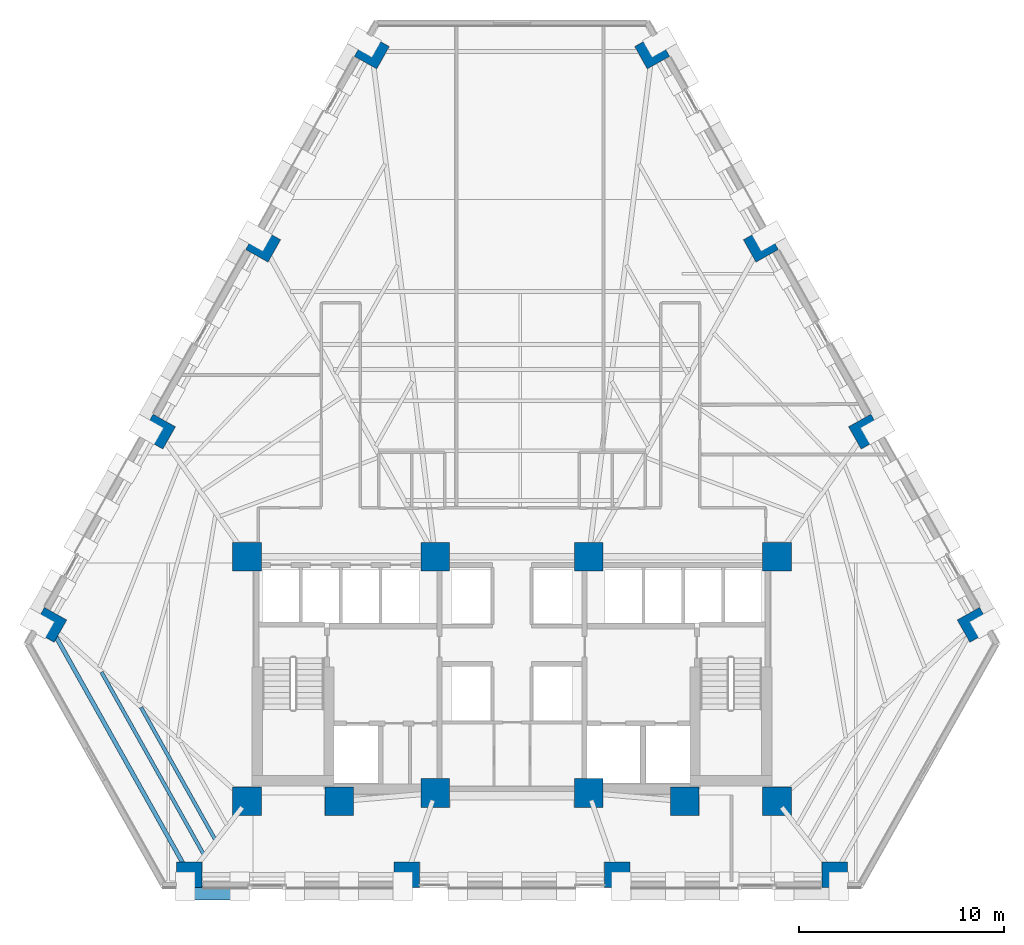
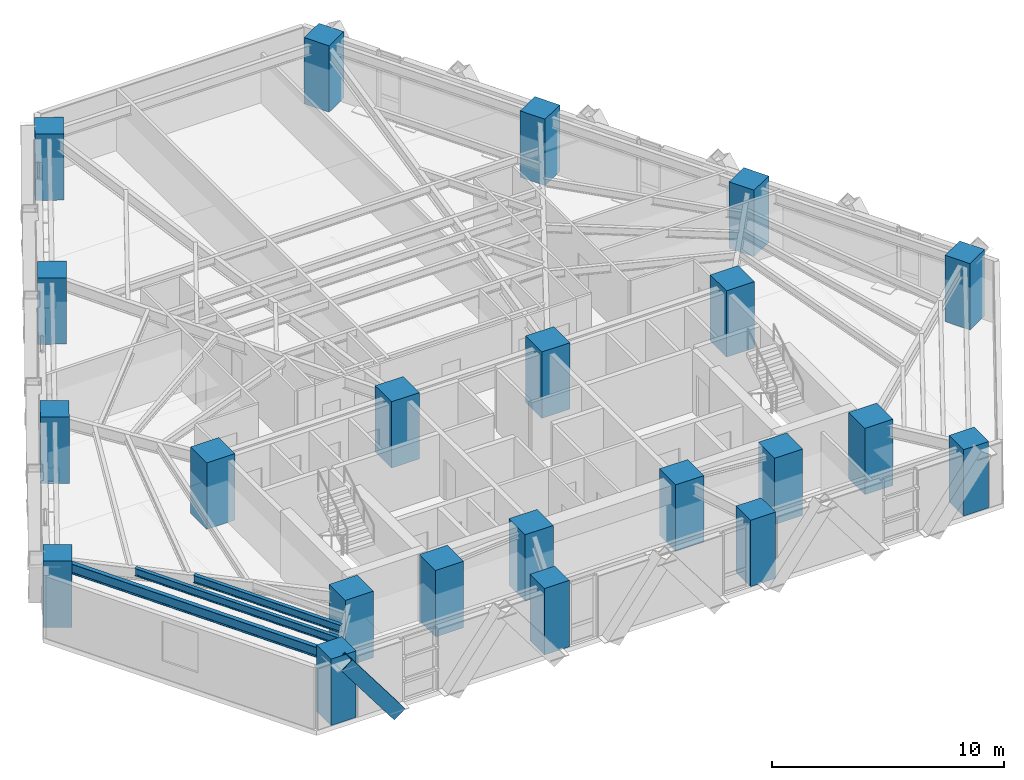
# One storey, part 1 of 13: 22 columns, 3 beams, 1 member.
"""IFC4 building model written with IfcOpenShell, lengths in metres."""

from ifc_helpers import new_model, si_unit, direction, frame, origin, origin_2d, place, context, subcontext, project, spatial, rectangle, hollow_rectangle, i_section, extrude, material, material_profile, profile_set, type_object, element, save


model = new_model("IFC4")

# Units and contexts
model_context = context("Model", 3, precision=1e-05, world=origin(), true_north=direction((0.0, 1.0)))
body_context = subcontext(model_context, "Body", "Model", "MODEL_VIEW")
ifc_project = project(units=[si_unit("LENGTHUNIT", "METRE"), si_unit("AREAUNIT", "SQUARE_METRE"), si_unit("VOLUMEUNIT", "CUBIC_METRE"), si_unit("PLANEANGLEUNIT", "RADIAN"), si_unit("MASSUNIT", "GRAM", prefix="KILO")], contexts=[model_context])

# Site, building, storey
site_placement = place(None, origin())
site = spatial("IfcSite", under=ifc_project, at=site_placement, CompositionType="ELEMENT")
building_placement = place(site_placement, origin())
building = spatial("IfcBuilding", under=site, at=building_placement, Name="Quenlor Broadcast Tower", CompositionType="ELEMENT")
storey_placement = place(building_placement, frame((0.0, 0.0, 66.10009765625)))
storey = spatial("IfcBuildingStorey", under=building, at=storey_placement, Name="L17", CompositionType="ELEMENT", Elevation=66.10009765625)

# Columns
ifc_material_1 = material(Name="Concrete C65/80", Category="concrete")
ifc_material_profile_1 = material_profile(ifc_material_1, rectangle(XDim=1.39990234375, YDim=1.39990234375, at=origin_2d()))
ifc_profile_set_1 = profile_set([ifc_material_profile_1], Name="Concrete C65/80 RC1400x1400")
column_type_1 = type_object("IfcColumnType", Name="Core Corner Column Lower Concrete C65/80 1400", PredefinedType="COLUMN", material=ifc_profile_set_1)
for number, where, z_axis, x_axis, name in (
    (1, (-12.949951171875, -16.75, 0.0), (0.0, 0.0, 1.0), (1.0, 0.0, 0.0), "L17 Core Column CC1"),
    (2, (-8.449951171875, -16.75, 0.0), (0.0, 0.0, 1.0), (1.0, 0.0, 0.0), "L17 Core Column CC2"),
    (3, (-3.75, -16.35009765625, 0.0), (0.0, 0.0, 1.0), (1.0, 0.0, 0.0), "L17 Core Column CC3"),
    (4, (3.75, -16.35009765625, 0.0), (0.0, 0.0, 1.0), (1.0, 0.0, 0.0), "L17 Core Column CC4"),
    (5, (8.449951171875, -16.75, 0.0), (0.0, 0.0, 1.0), (1.0, 0.0, 0.0), "L17 Core Column CC5"),
    (6, (12.949951171875, -16.75, 0.0), (0.0, 0.0, 1.0), (1.0, 0.0, 0.0), "L17 Core Column CC6"),
    (7, (-12.949951171875, -4.800048828125, 0.0), (0.0, 0.0, 1.0), (1.0, 0.0, 0.0), "L17 Core Column CC7"),
    (8, (-3.75, -4.800048828125, 0.0), (0.0, 0.0, 1.0), (1.0, 0.0, 0.0), "L17 Core Column CC8"),
    (9, (3.75, -4.800048828125, 0.0), (0.0, 0.0, 1.0), (1.0, 0.0, 0.0), "L17 Core Column CC9"),
    (10, (12.949951171875, -4.800048828125, 0.0), (0.0, 0.0, 1.0), (1.0, 0.0, 0.0), "L17 Core Column CC10"),
):
    element("IfcColumn", number, at=place(storey_placement, frame(where, z_axis=z_axis, x_axis=x_axis)), inside=storey, type_object=column_type_1, Name=name, PredefinedType="COLUMN", context=body_context, shape_type="SweptSolid", body=[
        extrude(rectangle(XDim=1.39990234375, YDim=1.39990234375, at=origin_2d()), origin(), (0.0, 0.0, 1.0), 3.5),
    ])
ifc_material_2 = material(Name="Concrete C65/80", Category="concrete")
ifc_material_profile_2 = material_profile(ifc_material_2, rectangle(XDim=1.25, YDim=1.25, at=origin_2d()))
ifc_profile_set_2 = profile_set([ifc_material_profile_2], Name="Concrete C65/80 RC1250x1250")
column_type_2 = type_object("IfcColumnType", Name="Tower Perimeter Column Z1 Concrete C65/80 1250", PredefinedType="COLUMN", material=ifc_profile_set_2)
for number, where, z_axis, x_axis, name in (
    (11, (-15.76513671875, -20.35009765625, 0.0), (0.0, 0.0, 1.0), (0.0, 1.0, 0.0), "L17 Perimeter Column S1"),
    (12, (-5.140869140625, -20.35009765625, 0.0), (0.0, 0.0, 1.0), (0.0, 1.0, 0.0), "L17 Perimeter Column S2"),
    (13, (5.140869140625, -20.35009765625, 0.0), (0.0, 0.0, 1.0), (0.0, 1.0, 0.0), "L17 Perimeter Column S3"),
    (14, (15.76513671875, -20.35009765625, 0.0), (0.0, 0.0, 1.0), (0.0, 1.0, 0.0), "L17 Perimeter Column S4"),
    (15, (22.6162109375, -8.132080078125, 0.0), (0.0, 0.0, 1.0), (0.871575139605, 0.490261946333, 0.0), "L17 Perimeter Column NE1"),
    (16, (17.303955078125, 1.311767578125, 0.0), (0.0, 0.0, 1.0), (0.871575139605, 0.490261946333, 0.0), "L17 Perimeter Column NE2"),
    (17, (12.1630859375, 10.450927734375, 0.0), (0.0, 0.0, 1.0), (0.871575139605, 0.490261946333, 0.0), "L17 Perimeter Column NE3"),
    (18, (6.850830078125, 19.894775390625, 0.0), (0.0, 0.0, 1.0), (0.871575139605, 0.490261946333, 0.0), "L17 Perimeter Column NE4"),
    (19, (-6.850830078125, 19.894775390625, 0.0), (0.0, 0.0, 1.0), (-0.871575139605, 0.490261946333, 0.0), "L17 Perimeter Column NW1"),
    (20, (-12.1630859375, 10.450927734375, 0.0), (0.0, 0.0, 1.0), (-0.871575139605, 0.490261946333, 0.0), "L17 Perimeter Column NW2"),
    (21, (-17.303955078125, 1.311767578125, 0.0), (0.0, 0.0, 1.0), (-0.871575139605, 0.490261946333, 0.0), "L17 Perimeter Column NW3"),
    (22, (-22.6162109375, -8.132080078125, 0.0), (0.0, 0.0, 1.0), (-0.871575139605, 0.490261946333, 0.0), "L17 Perimeter Column NW4"),
):
    element("IfcColumn", number, at=place(storey_placement, frame(where, z_axis=z_axis, x_axis=x_axis)), inside=storey, type_object=column_type_2, Name=name, PredefinedType="COLUMN", context=body_context, shape_type="SweptSolid", body=[
        extrude(rectangle(XDim=1.25, YDim=1.25, at=origin_2d()), origin(), (0.0, 0.0, 1.0), 3.5),
    ])

# Member
ifc_material_3 = material(Name="Steel S355", Category="steel")
ifc_material_profile_3 = material_profile(ifc_material_3, hollow_rectangle(XDim=0.679931640625, YDim=0.679931640625, WallThickness=0.034912109375, at=origin_2d()))
ifc_profile_set_3 = profile_set([ifc_material_profile_3], Name="Steel S355 RHS680x680x35")
member_type = type_object("IfcMemberType", Name="Perimeter Diagonal Lattice Brace Z1 Steel S355 RHS680x35", PredefinedType="BRACE", material=ifc_profile_set_3)
member_placement = place(storey_placement, frame((-13.31689453125, -21.235107421875, -0.1201171875), z_axis=(-0.600463982679, 0.0, 0.799651802665), x_axis=(0.0, -1.0, 0.0)))
element("IfcMember", 23, at=member_placement, inside=storey, type_object=member_type, Name="L17 Perimeter Diamond Lattice S-C4S", PredefinedType="BRACE", context=body_context, shape_type="SweptSolid", body=[
    extrude(hollow_rectangle(XDim=0.679931640625, YDim=0.679931640625, WallThickness=0.034912109375, at=origin_2d()), origin(), (0.0, 0.0, 1.0), 4.376953125),
])

# Beams
ifc_material_4 = material(Name="Steel S355", Category="steel")
ifc_material_profile_4 = material_profile(ifc_material_4, i_section(OverallWidth=0.208984375, OverallDepth=0.532958984375, WebThickness=0.01025390625, FlangeThickness=0.015625, FilletRadius=0.013916015625, at=origin_2d()))
ifc_profile_set_4 = profile_set([ifc_material_profile_4], Name="Steel S355 530UB92.4")
beam_type_1 = type_object("IfcBeamType", Name="Perimeter Spandrel Beam Z1 Steel S355 530UB92.4", PredefinedType="SPANDREL", material=ifc_profile_set_4)
beam_1_placement = place(storey_placement, frame((-22.41552734375, -8.48974609375, 2.9833984375), z_axis=(0.489090917871, -0.87223280955, 0.0), x_axis=(0.87223280955, 0.489090917871, 0.0)))
element("IfcBeam", 24, at=beam_1_placement, inside=storey, type_object=beam_type_1, Name="L17 Spandrel Beam NW4-S1", PredefinedType="SPANDREL", context=body_context, shape_type="SweptSolid", body=[
    extrude(i_section(OverallWidth=0.208984375, OverallDepth=0.532958984375, WebThickness=0.01025390625, FlangeThickness=0.015625, FilletRadius=0.013916015625, at=origin_2d()), origin(), (0.0, 0.0, 1.0), 13.187744140625),
])
ifc_material_5 = material(Name="Steel S355", Category="steel")
ifc_material_profile_5 = material_profile(ifc_material_5, i_section(OverallWidth=0.177978515625, OverallDepth=0.406494140625, WebThickness=0.0078125, FlangeThickness=0.0126953125, FilletRadius=0.011474609375, at=origin_2d()))
ifc_profile_set_5 = profile_set([ifc_material_profile_5], Name="Steel S355 410UB59.7")
beam_type_2 = type_object("IfcBeamType", Name="Tower Composite Joist Z1 Steel S355 410UB59.7", PredefinedType="JOIST", material=ifc_profile_set_5)
beam_2_placement = place(storey_placement, frame((-14.50927734375, -18.624267578125, 3.046630859375), z_axis=(-0.489088249322, 0.872234305892, 0.0), x_axis=(-0.872234305892, -0.489088249322, 0.0)))
element("IfcBeam", 25, at=beam_2_placement, inside=storey, type_object=beam_type_2, Name="L17 Secondary Composite Joist 20", PredefinedType="JOIST", context=body_context, shape_type="SweptSolid", body=[
    extrude(i_section(OverallWidth=0.177978515625, OverallDepth=0.406494140625, WebThickness=0.0078125, FlangeThickness=0.0126953125, FilletRadius=0.011474609375, at=origin_2d()), origin(), (0.0, 0.0, 1.0), 7.404296875),
])
beam_3_placement = place(storey_placement, frame((-15.072265625, -19.34423828125, 3.046630859375), z_axis=(-0.489081877778, 0.872237878579, 0.0), x_axis=(-0.872237878579, -0.489081877778, 0.0)))
element("IfcBeam", 26, at=beam_3_placement, inside=storey, type_object=beam_type_2, Name="L17 Secondary Composite Joist 21", PredefinedType="JOIST", context=body_context, shape_type="SweptSolid", body=[
    extrude(i_section(OverallWidth=0.177978515625, OverallDepth=0.406494140625, WebThickness=0.0078125, FlangeThickness=0.0126953125, FilletRadius=0.011474609375, at=origin_2d()), origin(), (0.0, 0.0, 1.0), 10.205810546875),
])

save(model, "model.ifc")
